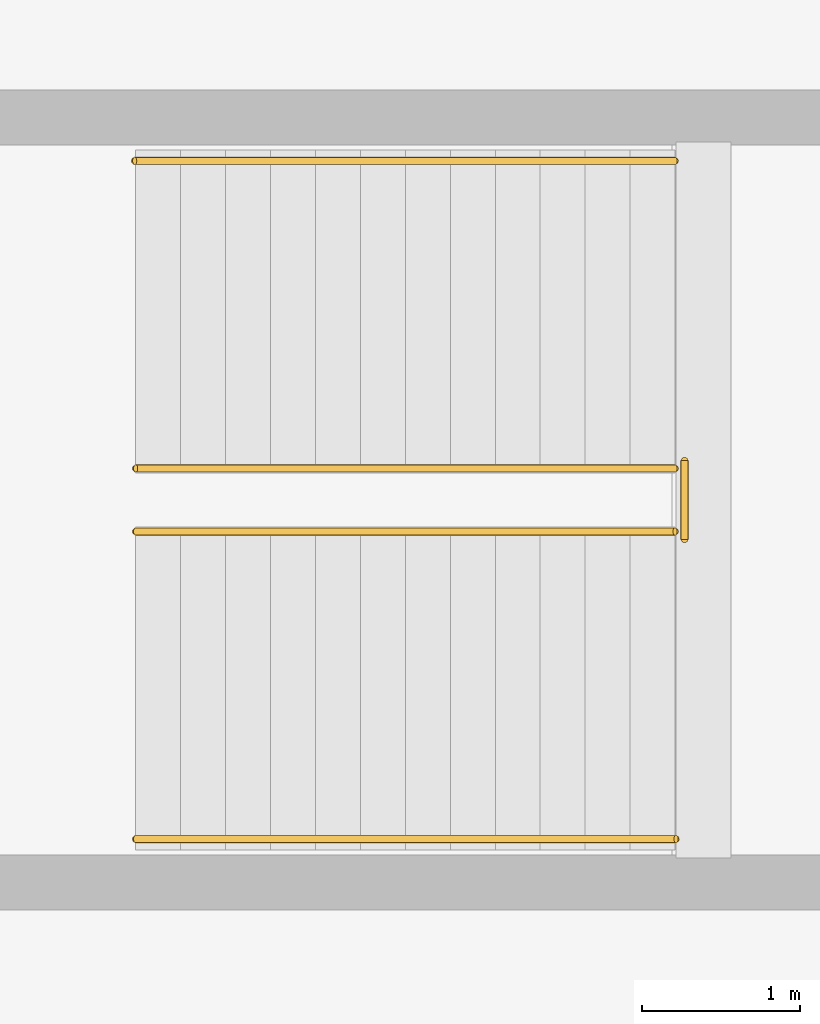
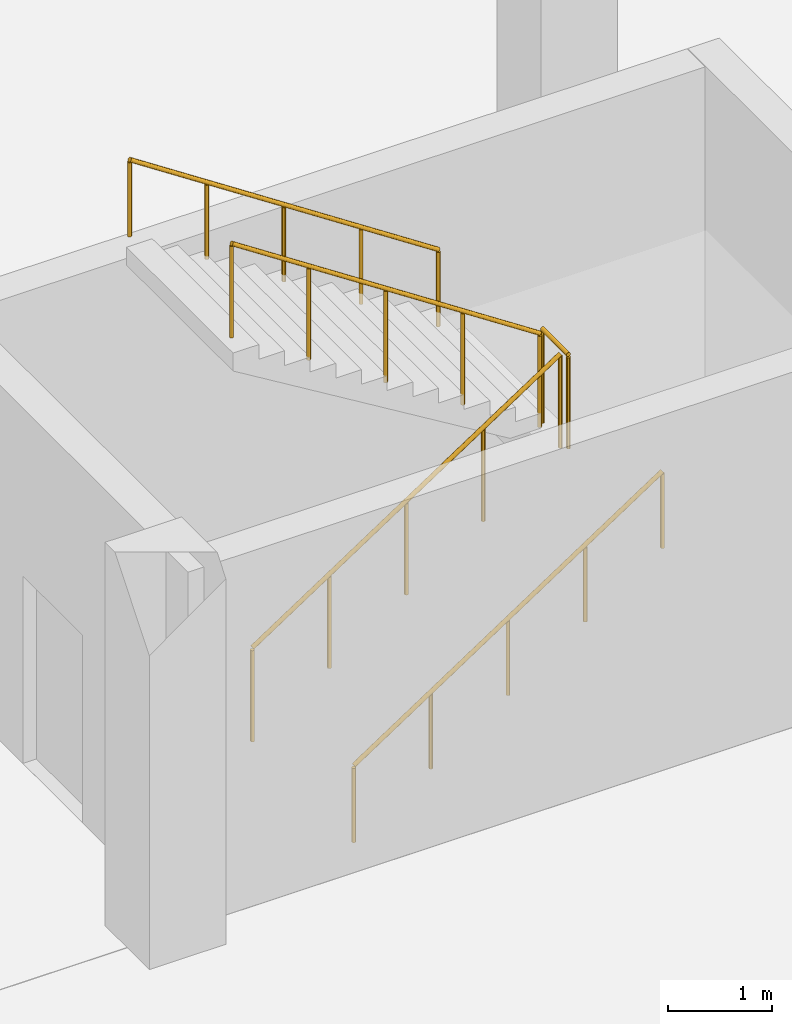
# One storey, part 27 of 29: 5 railings.
"""IFC4 building model written with IfcOpenShell, lengths in metres."""

from ifc_helpers import new_model, si_unit, direction, frame, origin, origin_2d, place, context, subcontext, project, spatial, circle, extrude, material, layer, layer_set, type_object, element, save


model = new_model("IFC4")

# Units and contexts
model_context = context("Model", 3, precision=1e-05, world=origin(), true_north=direction((0.0, 1.0)))
body_context = subcontext(model_context, "Body", "Model", "MODEL_VIEW")
ifc_project = project(units=[si_unit("LENGTHUNIT", "METRE"), si_unit("AREAUNIT", "SQUARE_METRE"), si_unit("VOLUMEUNIT", "CUBIC_METRE"), si_unit("PLANEANGLEUNIT", "RADIAN"), si_unit("MASSUNIT", "GRAM", prefix="KILO")], contexts=[model_context])

# Site, building, storey
site_placement = place(None, origin())
site = spatial("IfcSite", under=ifc_project, at=site_placement, CompositionType="ELEMENT")
building_placement = place(site_placement, origin())
building = spatial("IfcBuilding", under=site, at=building_placement, Name="Meriwether Solvik Hall", CompositionType="ELEMENT")
storey_placement = place(building_placement, frame((0.0, 0.0, -9.0)))
storey = spatial("IfcBuildingStorey", under=building, at=storey_placement, Name="B02", CompositionType="ELEMENT", Elevation=-9.0)

# Railings
ifc_material_1 = material(Name="Steel A36 Galvanised", Category="steel")
ifc_layer_1 = layer(ifc_material_1, 0.054931640625)
ifc_layer_set_1 = layer_set([ifc_layer_1], Name="Steel A36 Galvanised")
railing_type_1 = type_object("IfcRailingType", Name="RAIL-STR-GUARD", PredefinedType="GUARDRAIL", material=ifc_layer_set_1)
railing_1_placement = place(storey_placement, frame((19.830078125, 60.75, 2.25)))
element("IfcRailing", 1, at=railing_1_placement, inside=storey, type_object=railing_type_1, Name="Stair ST-04 Landing Guardrail (B02)", PredefinedType="GUARDRAIL", context=body_context, shape_type="SweptSolid", body=[
    extrude(circle(Radius=0.02392578125, at=origin_2d()), frame((0.0, 0.0, 1.09619140625), z_axis=(0.0, 1.0, 0.0), x_axis=(-1.0, 0.0, 0.0)), (0.0, 0.0, 1.0), 0.5),
    extrude(circle(Radius=0.02099609375, at=origin_2d()), origin(), (0.0, 0.0, 1.0), 1.072021484375),
    extrude(circle(Radius=0.02099609375, at=origin_2d()), frame((0.0, 0.5, 0.0)), (0.0, 0.0, 1.0), 1.072021484375),
])
railing_2_placement = place(storey_placement, frame((16.35009765625, 60.800048828125, 0.0)))
element("IfcRailing", 2, at=railing_2_placement, inside=storey, type_object=railing_type_1, Name="Stair ST-04 Flight 1 Inner Guardrail (B02)", PredefinedType="GUARDRAIL", context=body_context, shape_type="SweptSolid", body=[
    extrude(circle(Radius=0.02392578125, at=origin_2d()), frame((0.0, 0.0, 1.09619140625), z_axis=(0.835411317272, 0.0, 0.549625264133), x_axis=(0.0, 1.0, 0.0)), (0.0, 0.0, 1.0), 4.09375),
    extrude(circle(Radius=0.02099609375, at=origin_2d()), origin(), (0.0, 0.0, 1.0), 1.072021484375),
    extrude(circle(Radius=0.02099609375, at=origin_2d()), frame((0.85498046875, 0.0, 0.5625)), (0.0, 0.0, 1.0), 1.072021484375),
    extrude(circle(Radius=0.02099609375, at=origin_2d()), frame((1.7099609375, 0.0, 1.125)), (0.0, 0.0, 1.0), 1.072021484375),
    extrude(circle(Radius=0.02099609375, at=origin_2d()), frame((2.56494140625, 0.0, 1.6875)), (0.0, 0.0, 1.0), 1.072021484375),
    extrude(circle(Radius=0.02099609375, at=origin_2d()), frame((3.419921875, 0.0, 2.25)), (0.0, 0.0, 1.0), 1.072021484375),
])
railing_3_placement = place(storey_placement, frame((19.77001953125, 61.199951171875, 2.25)))
element("IfcRailing", 3, at=railing_3_placement, inside=storey, type_object=railing_type_1, Name="Stair ST-04 Flight 2 Inner Guardrail (B02)", PredefinedType="GUARDRAIL", context=body_context, shape_type="SweptSolid", body=[
    extrude(circle(Radius=0.02392578125, at=origin_2d()), frame((0.0, 0.0, 1.09619140625), z_axis=(-0.835411317272, 0.0, 0.549625264133), x_axis=(0.0, -1.0, 0.0)), (0.0, 0.0, 1.0), 4.09375),
    extrude(circle(Radius=0.02099609375, at=origin_2d()), origin(), (0.0, 0.0, 1.0), 1.072021484375),
    extrude(circle(Radius=0.02099609375, at=origin_2d()), frame((-0.85498046875, 0.0, 0.5625)), (0.0, 0.0, 1.0), 1.072021484375),
    extrude(circle(Radius=0.02099609375, at=origin_2d()), frame((-1.7099609375, 0.0, 1.125)), (0.0, 0.0, 1.0), 1.072021484375),
    extrude(circle(Radius=0.02099609375, at=origin_2d()), frame((-2.56494140625, 0.0, 1.6875)), (0.0, 0.0, 1.0), 1.072021484375),
    extrude(circle(Radius=0.02099609375, at=origin_2d()), frame((-3.419921875, 0.0, 2.25)), (0.0, 0.0, 1.0), 1.072021484375),
])
ifc_material_2 = material(Name="Stainless Steel AISI 316", Category="steel")
ifc_layer_2 = layer(ifc_material_2, 0.044921875)
ifc_layer_set_2 = layer_set([ifc_layer_2], Name="Stainless Steel AISI 316")
railing_type_2 = type_object("IfcRailingType", Name="RAIL-STR-HAND", PredefinedType="HANDRAIL", material=ifc_layer_set_2)
railing_4_placement = place(storey_placement, frame((16.35009765625, 58.85009765625, 0.0)))
element("IfcRailing", 4, at=railing_4_placement, inside=storey, type_object=railing_type_2, Name="Stair ST-04 Lower Handrail (B02)", PredefinedType="HANDRAIL", context=body_context, shape_type="SweptSolid", body=[
    extrude(circle(Radius=0.02392578125, at=origin_2d()), frame((0.0, 0.0, 0.89599609375), z_axis=(0.835405572009, 0.0, 0.549633996635), x_axis=(0.0, 1.0, 0.0)), (0.0, 0.0, 1.0), 4.100830078125),
    extrude(circle(Radius=0.02099609375, at=origin_2d()), origin(), (0.0, 0.0, 1.0), 0.871826171875),
    extrude(circle(Radius=0.02099609375, at=origin_2d()), frame((0.8564453125, 0.0, 0.5634765625)), (0.0, 0.0, 1.0), 0.871826171875),
    extrude(circle(Radius=0.02099609375, at=origin_2d()), frame((1.712890625, 0.0, 1.126953125)), (0.0, 0.0, 1.0), 0.871826171875),
    extrude(circle(Radius=0.02099609375, at=origin_2d()), frame((2.5693359375, 0.0, 1.6904296875)), (0.0, 0.0, 1.0), 0.871826171875),
    extrude(circle(Radius=0.02099609375, at=origin_2d()), frame((3.42578125, 0.0, 2.25390625)), (0.0, 0.0, 1.0), 0.871826171875),
])
railing_5_placement = place(storey_placement, frame((19.77001953125, 63.14990234375, 2.25)))
element("IfcRailing", 5, at=railing_5_placement, inside=storey, type_object=railing_type_2, Name="Stair ST-04 Upper Handrail (B02)", PredefinedType="HANDRAIL", context=body_context, shape_type="SweptSolid", body=[
    extrude(circle(Radius=0.02392578125, at=origin_2d()), frame((0.0, 0.0, 0.89599609375), z_axis=(-0.835423556268, 0.0, 0.549606660833), x_axis=(0.0, -1.0, 0.0)), (0.0, 0.0, 1.0), 4.100830078125),
    extrude(circle(Radius=0.02099609375, at=origin_2d()), origin(), (0.0, 0.0, 1.0), 0.871826171875),
    extrude(circle(Radius=0.02099609375, at=origin_2d()), frame((-0.8564453125, 0.0, 0.5634765625)), (0.0, 0.0, 1.0), 0.871826171875),
    extrude(circle(Radius=0.02099609375, at=origin_2d()), frame((-1.712890625, 0.0, 1.126953125)), (0.0, 0.0, 1.0), 0.871826171875),
    extrude(circle(Radius=0.02099609375, at=origin_2d()), frame((-2.569580078125, 0.0, 1.6904296875)), (0.0, 0.0, 1.0), 0.871826171875),
    extrude(circle(Radius=0.02099609375, at=origin_2d()), frame((-3.426025390625, 0.0, 2.25390625)), (0.0, 0.0, 1.0), 0.871826171875),
])

save(model, "model.ifc")
